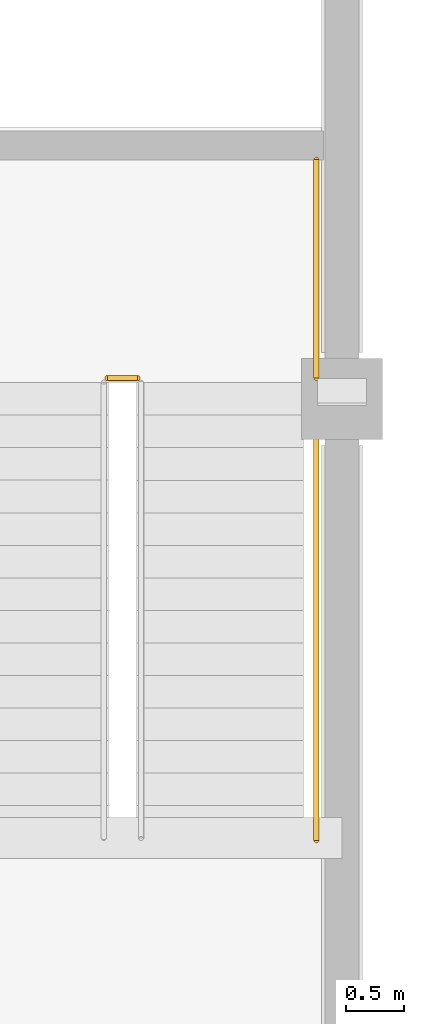
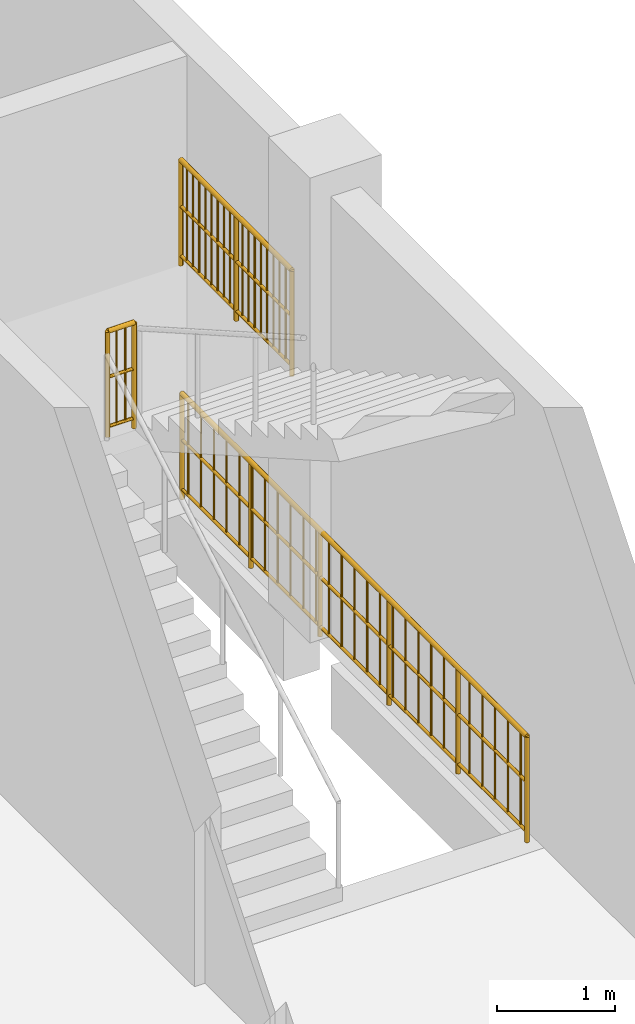
# One storey, part 99 of 99: 3 railings.
"""IFC4 building model written with IfcOpenShell, lengths in metres."""

from ifc_helpers import new_model, si_unit, direction, frame, origin, origin_2d, place, context, subcontext, project, spatial, circle, extrude, material, type_object, element, save


model = new_model("IFC4")

# Units and contexts
model_context = context("Model", 3, precision=1e-05, world=origin(), true_north=direction((0.0, 1.0)))
body_context = subcontext(model_context, "Body", "Model", "MODEL_VIEW")
ifc_project = project(units=[si_unit("LENGTHUNIT", "METRE"), si_unit("AREAUNIT", "SQUARE_METRE"), si_unit("VOLUMEUNIT", "CUBIC_METRE"), si_unit("PLANEANGLEUNIT", "RADIAN"), si_unit("MASSUNIT", "GRAM", prefix="KILO")], contexts=[model_context])

# Site, building, storey
site_placement = place(None, origin())
site = spatial("IfcSite", under=ifc_project, at=site_placement, CompositionType="ELEMENT")
building_placement = place(site_placement, origin())
building = spatial("IfcBuilding", under=site, at=building_placement, Name="Vesperath Aquatics Centre", CompositionType="ELEMENT")
storey_placement = place(building_placement, frame((0.0, 0.0, 5.39990234375)))
storey = spatial("IfcBuildingStorey", under=building, at=storey_placement, Name="L01", CompositionType="ELEMENT", Elevation=5.39990234375)

# Railings
ifc_material = material(Name="Powder-coated galvanized steel safety guard", Category="steel")
railing_type = type_object("IfcRailingType", Name="RL-GRD01", PredefinedType="GUARDRAIL", material=ifc_material)
railing_1_placement = place(storey_placement, frame((170.780029296875, 86.580078125, 2.400146484375)))
element("IfcRailing", 1, at=railing_1_placement, inside=storey, type_object=railing_type, Name="Stair ST4 Half-Landing Slot Guard GR02 L01", PredefinedType="GUARDRAIL", context=body_context, shape_type="SweptSolid", body=[
    extrude(circle(Radius=0.02392578125, at=origin_2d()), frame((0.0, 0.0, 1.0859375), z_axis=(1.0, 0.0, 0.0), x_axis=(0.0, 1.0, 0.0)), (0.0, 0.0, 1.0), 0.260009765625),
    extrude(circle(Radius=0.01611328125, at=origin_2d()), frame((0.0, 0.0, 0.10009765625), z_axis=(1.0, 0.0, 0.0), x_axis=(0.0, 1.0, 0.0)), (0.0, 0.0, 1.0), 0.260009765625),
    extrude(circle(Radius=0.01611328125, at=origin_2d()), frame((0.0, 0.0, 0.610595703125), z_axis=(1.0, 0.0, 0.0), x_axis=(0.0, 1.0, 0.0)), (0.0, 0.0, 1.0), 0.260009765625),
    extrude(circle(Radius=0.009033203125, at=origin_2d()), frame((0.086669921875, 0.0, 0.10009765625)), (0.0, 0.0, 1.0), 0.9619140625),
    extrude(circle(Radius=0.009033203125, at=origin_2d()), frame((0.17333984375, 0.0, 0.10009765625)), (0.0, 0.0, 1.0), 0.9619140625),
    extrude(circle(Radius=0.02197265625, at=origin_2d()), origin(), (0.0, 0.0, 1.0), 1.0859375),
    extrude(circle(Radius=0.02197265625, at=origin_2d()), frame((0.260009765625, 0.0, 0.0)), (0.0, 0.0, 1.0), 1.0859375),
])
railing_2_placement = place(storey_placement, frame((172.580078125, 86.580078125, 2.400146484375)))
element("IfcRailing", 2, at=railing_2_placement, inside=storey, type_object=railing_type, Name="Stair ST4 Half-Landing Wall Guard GR02 L01", PredefinedType="GUARDRAIL", context=body_context, shape_type="SweptSolid", body=[
    extrude(circle(Radius=0.02392578125, at=origin_2d()), frame((0.0, 0.0, 1.0859375), z_axis=(0.0, 1.0, 0.0), x_axis=(-1.0, 0.0, 0.0)), (0.0, 0.0, 1.0), 1.8798828125),
    extrude(circle(Radius=0.01611328125, at=origin_2d()), frame((0.0, 0.0, 0.10009765625), z_axis=(0.0, 1.0, 0.0), x_axis=(-1.0, 0.0, 0.0)), (0.0, 0.0, 1.0), 1.8798828125),
    extrude(circle(Radius=0.01611328125, at=origin_2d()), frame((0.0, 0.0, 0.610595703125), z_axis=(0.0, 1.0, 0.0), x_axis=(-1.0, 0.0, 0.0)), (0.0, 0.0, 1.0), 1.8798828125),
    extrude(circle(Radius=0.009033203125, at=origin_2d()), frame((0.0, 0.1044921875, 0.10009765625)), (0.0, 0.0, 1.0), 0.9619140625),
    extrude(circle(Radius=0.009033203125, at=origin_2d()), frame((0.0, 0.208984375, 0.10009765625)), (0.0, 0.0, 1.0), 0.9619140625),
    extrude(circle(Radius=0.009033203125, at=origin_2d()), frame((0.0, 0.313232421875, 0.10009765625)), (0.0, 0.0, 1.0), 0.9619140625),
    extrude(circle(Radius=0.009033203125, at=origin_2d()), frame((0.0, 0.417724609375, 0.10009765625)), (0.0, 0.0, 1.0), 0.9619140625),
    extrude(circle(Radius=0.009033203125, at=origin_2d()), frame((0.0, 0.522216796875, 0.10009765625)), (0.0, 0.0, 1.0), 0.9619140625),
    extrude(circle(Radius=0.009033203125, at=origin_2d()), frame((0.0, 0.626708984375, 0.10009765625)), (0.0, 0.0, 1.0), 0.9619140625),
    extrude(circle(Radius=0.009033203125, at=origin_2d()), frame((0.0, 0.73095703125, 0.10009765625)), (0.0, 0.0, 1.0), 0.9619140625),
    extrude(circle(Radius=0.009033203125, at=origin_2d()), frame((0.0, 0.83544921875, 0.10009765625)), (0.0, 0.0, 1.0), 0.9619140625),
    extrude(circle(Radius=0.009033203125, at=origin_2d()), frame((0.0, 0.93994140625, 0.10009765625)), (0.0, 0.0, 1.0), 0.9619140625),
    extrude(circle(Radius=0.009033203125, at=origin_2d()), frame((0.0, 1.04443359375, 0.10009765625)), (0.0, 0.0, 1.0), 0.9619140625),
    extrude(circle(Radius=0.009033203125, at=origin_2d()), frame((0.0, 1.14892578125, 0.10009765625)), (0.0, 0.0, 1.0), 0.9619140625),
    extrude(circle(Radius=0.009033203125, at=origin_2d()), frame((0.0, 1.253173828125, 0.10009765625)), (0.0, 0.0, 1.0), 0.9619140625),
    extrude(circle(Radius=0.009033203125, at=origin_2d()), frame((0.0, 1.357666015625, 0.10009765625)), (0.0, 0.0, 1.0), 0.9619140625),
    extrude(circle(Radius=0.009033203125, at=origin_2d()), frame((0.0, 1.462158203125, 0.10009765625)), (0.0, 0.0, 1.0), 0.9619140625),
    extrude(circle(Radius=0.009033203125, at=origin_2d()), frame((0.0, 1.566650390625, 0.10009765625)), (0.0, 0.0, 1.0), 0.9619140625),
    extrude(circle(Radius=0.009033203125, at=origin_2d()), frame((0.0, 1.6708984375, 0.10009765625)), (0.0, 0.0, 1.0), 0.9619140625),
    extrude(circle(Radius=0.009033203125, at=origin_2d()), frame((0.0, 1.775390625, 0.10009765625)), (0.0, 0.0, 1.0), 0.9619140625),
    extrude(circle(Radius=0.02197265625, at=origin_2d()), origin(), (0.0, 0.0, 1.0), 1.0859375),
    extrude(circle(Radius=0.02197265625, at=origin_2d()), frame((0.0, 0.93994140625, 0.0)), (0.0, 0.0, 1.0), 1.0859375),
    extrude(circle(Radius=0.02197265625, at=origin_2d()), frame((0.0, 1.8798828125, 0.0)), (0.0, 0.0, 1.0), 1.0859375),
])
railing_3_placement = place(storey_placement, frame((172.580078125, 82.60009765625, 0.0)))
element("IfcRailing", 3, at=railing_3_placement, inside=storey, type_object=railing_type, Name="Stair ST4 Shaft Side Guard GR02 L01", PredefinedType="GUARDRAIL", context=body_context, shape_type="SweptSolid", body=[
    extrude(circle(Radius=0.02392578125, at=origin_2d()), frame((0.0, 0.0, 1.0859375), z_axis=(0.0, 1.0, 0.0), x_axis=(-1.0, 0.0, 0.0)), (0.0, 0.0, 1.0), 5.83984375),
    extrude(circle(Radius=0.01611328125, at=origin_2d()), frame((0.0, 0.0, 0.10009765625), z_axis=(0.0, 1.0, 0.0), x_axis=(-1.0, 0.0, 0.0)), (0.0, 0.0, 1.0), 5.83984375),
    extrude(circle(Radius=0.01611328125, at=origin_2d()), frame((0.0, 0.0, 0.610595703125), z_axis=(0.0, 1.0, 0.0), x_axis=(-1.0, 0.0, 0.0)), (0.0, 0.0, 1.0), 5.83984375),
    extrude(circle(Radius=0.009033203125, at=origin_2d()), frame((0.0, 0.108154296875, 0.10009765625)), (0.0, 0.0, 1.0), 0.9619140625),
    extrude(circle(Radius=0.009033203125, at=origin_2d()), frame((0.0, 0.324462890625, 0.10009765625)), (0.0, 0.0, 1.0), 0.9619140625),
    extrude(circle(Radius=0.009033203125, at=origin_2d()), frame((0.0, 0.540771484375, 0.10009765625)), (0.0, 0.0, 1.0), 0.9619140625),
    extrude(circle(Radius=0.009033203125, at=origin_2d()), frame((0.0, 0.757080078125, 0.10009765625)), (0.0, 0.0, 1.0), 0.9619140625),
    extrude(circle(Radius=0.009033203125, at=origin_2d()), frame((0.0, 0.973388671875, 0.10009765625)), (0.0, 0.0, 1.0), 0.9619140625),
    extrude(circle(Radius=0.009033203125, at=origin_2d()), frame((0.0, 1.189697265625, 0.10009765625)), (0.0, 0.0, 1.0), 0.9619140625),
    extrude(circle(Radius=0.009033203125, at=origin_2d()), frame((0.0, 1.406005859375, 0.10009765625)), (0.0, 0.0, 1.0), 0.9619140625),
    extrude(circle(Radius=0.009033203125, at=origin_2d()), frame((0.0, 1.6220703125, 0.10009765625)), (0.0, 0.0, 1.0), 0.9619140625),
    extrude(circle(Radius=0.009033203125, at=origin_2d()), frame((0.0, 1.83837890625, 0.10009765625)), (0.0, 0.0, 1.0), 0.9619140625),
    extrude(circle(Radius=0.009033203125, at=origin_2d()), frame((0.0, 2.0546875, 0.10009765625)), (0.0, 0.0, 1.0), 0.9619140625),
    extrude(circle(Radius=0.009033203125, at=origin_2d()), frame((0.0, 2.27099609375, 0.10009765625)), (0.0, 0.0, 1.0), 0.9619140625),
    extrude(circle(Radius=0.009033203125, at=origin_2d()), frame((0.0, 2.4873046875, 0.10009765625)), (0.0, 0.0, 1.0), 0.9619140625),
    extrude(circle(Radius=0.009033203125, at=origin_2d()), frame((0.0, 2.70361328125, 0.10009765625)), (0.0, 0.0, 1.0), 0.9619140625),
    extrude(circle(Radius=0.009033203125, at=origin_2d()), frame((0.0, 2.919921875, 0.10009765625)), (0.0, 0.0, 1.0), 0.9619140625),
    extrude(circle(Radius=0.009033203125, at=origin_2d()), frame((0.0, 3.13623046875, 0.10009765625)), (0.0, 0.0, 1.0), 0.9619140625),
    extrude(circle(Radius=0.009033203125, at=origin_2d()), frame((0.0, 3.3525390625, 0.10009765625)), (0.0, 0.0, 1.0), 0.9619140625),
    extrude(circle(Radius=0.009033203125, at=origin_2d()), frame((0.0, 3.56884765625, 0.10009765625)), (0.0, 0.0, 1.0), 0.9619140625),
    extrude(circle(Radius=0.009033203125, at=origin_2d()), frame((0.0, 3.78515625, 0.10009765625)), (0.0, 0.0, 1.0), 0.9619140625),
    extrude(circle(Radius=0.009033203125, at=origin_2d()), frame((0.0, 4.00146484375, 0.10009765625)), (0.0, 0.0, 1.0), 0.9619140625),
    extrude(circle(Radius=0.009033203125, at=origin_2d()), frame((0.0, 4.2177734375, 0.10009765625)), (0.0, 0.0, 1.0), 0.9619140625),
    extrude(circle(Radius=0.009033203125, at=origin_2d()), frame((0.0, 4.433837890625, 0.10009765625)), (0.0, 0.0, 1.0), 0.9619140625),
    extrude(circle(Radius=0.009033203125, at=origin_2d()), frame((0.0, 4.650146484375, 0.10009765625)), (0.0, 0.0, 1.0), 0.9619140625),
    extrude(circle(Radius=0.009033203125, at=origin_2d()), frame((0.0, 4.866455078125, 0.10009765625)), (0.0, 0.0, 1.0), 0.9619140625),
    extrude(circle(Radius=0.009033203125, at=origin_2d()), frame((0.0, 5.082763671875, 0.10009765625)), (0.0, 0.0, 1.0), 0.9619140625),
    extrude(circle(Radius=0.009033203125, at=origin_2d()), frame((0.0, 5.299072265625, 0.10009765625)), (0.0, 0.0, 1.0), 0.9619140625),
    extrude(circle(Radius=0.009033203125, at=origin_2d()), frame((0.0, 5.515380859375, 0.10009765625)), (0.0, 0.0, 1.0), 0.9619140625),
    extrude(circle(Radius=0.009033203125, at=origin_2d()), frame((0.0, 5.731689453125, 0.10009765625)), (0.0, 0.0, 1.0), 0.9619140625),
    extrude(circle(Radius=0.02197265625, at=origin_2d()), origin(), (0.0, 0.0, 1.0), 1.0859375),
    extrude(circle(Radius=0.02197265625, at=origin_2d()), frame((0.0, 1.16796875, 0.0)), (0.0, 0.0, 1.0), 1.0859375),
    extrude(circle(Radius=0.02197265625, at=origin_2d()), frame((0.0, 2.3359375, 0.0)), (0.0, 0.0, 1.0), 1.0859375),
    extrude(circle(Radius=0.02197265625, at=origin_2d()), frame((0.0, 3.50390625, 0.0)), (0.0, 0.0, 1.0), 1.0859375),
    extrude(circle(Radius=0.02197265625, at=origin_2d()), frame((0.0, 4.671875, 0.0)), (0.0, 0.0, 1.0), 1.0859375),
    extrude(circle(Radius=0.02197265625, at=origin_2d()), frame((0.0, 5.83984375, 0.0)), (0.0, 0.0, 1.0), 1.0859375),
])

save(model, "model.ifc")
